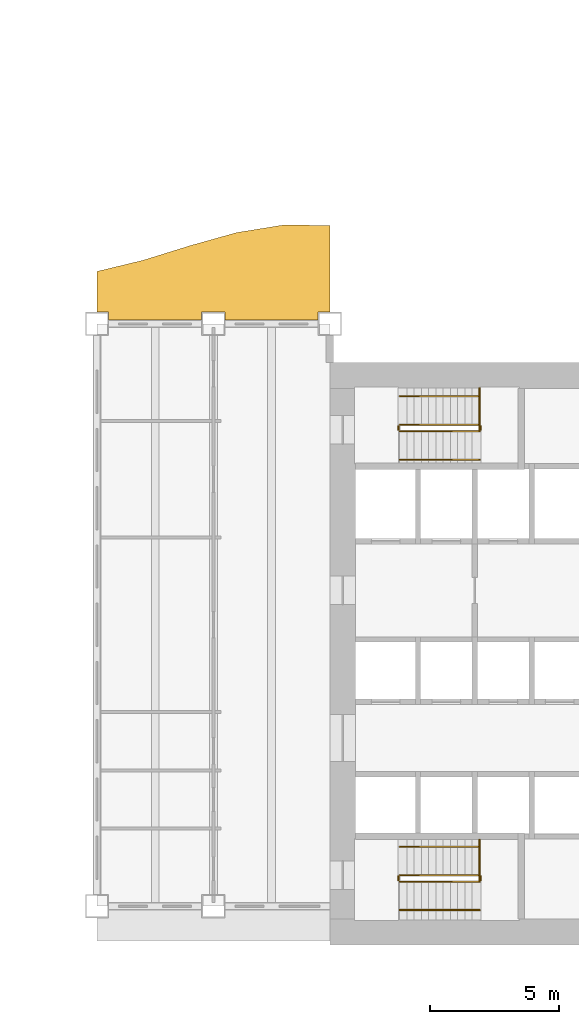
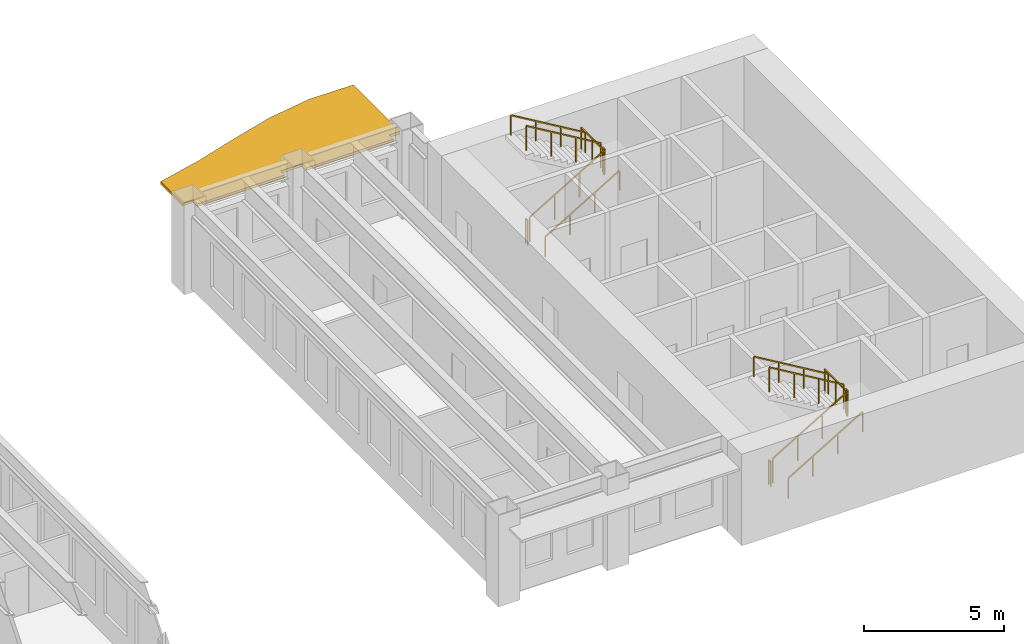
# One storey, part 12 of 13: 14 railings, 1 shading device.
"""IFC4 building model written with IfcOpenShell, lengths in metres."""

from ifc_helpers import new_model, si_unit, direction, frame, origin, origin_2d, place, context, subcontext, project, spatial, polyline, rectangle, outline, extrude, material, layer, layer_set, type_object, element, save


model = new_model("IFC4")

# Units and contexts
model_context = context("Model", 3, precision=1e-05, world=origin(), true_north=direction((0.0, 1.0)))
body_context = subcontext(model_context, "Body", "Model", "MODEL_VIEW")
ifc_project = project(units=[si_unit("LENGTHUNIT", "METRE"), si_unit("AREAUNIT", "SQUARE_METRE"), si_unit("VOLUMEUNIT", "CUBIC_METRE"), si_unit("PLANEANGLEUNIT", "RADIAN"), si_unit("MASSUNIT", "GRAM", prefix="KILO")], contexts=[model_context])

# Site, building, storey
site_placement = place(None, origin())
site = spatial("IfcSite", under=ifc_project, at=site_placement, CompositionType="ELEMENT")
building_placement = place(site_placement, origin())
building = spatial("IfcBuilding", under=site, at=building_placement, Name="Sennacour Bend Tower", CompositionType="ELEMENT")
storey_placement = place(building_placement, frame((0.0, 0.0, 139.0)))
storey = spatial("IfcBuildingStorey", under=building, at=storey_placement, Name="L31", CompositionType="ELEMENT", Elevation=139.0)

# Railings
ifc_material_1 = material(Name="Stainless steel", Category="steel")
railing_type_1 = type_object("IfcRailingType", Name="RL-GUARD-1100", PredefinedType="GUARDRAIL", material=ifc_material_1)
railing_1_placement = place(storey_placement, frame((56.699951171875, 2.449951171875, 0.166748046875)))
element("IfcRailing", 1, at=railing_1_placement, inside=storey, type_object=railing_type_1, Name="L31 SA1 stair guard 1", PredefinedType="GUARDRAIL", context=body_context, shape_type="SweptSolid", body=[
    extrude(rectangle(XDim=0.048095703125, YDim=0.048095703125, at=origin_2d()), frame((0.0, 0.0, 1.076171875), z_axis=(0.859308565015, 0.0, 0.511457515432), x_axis=(0.0, 1.0, 0.0)), (0.0, 0.0, 1.0), 3.58447265625),
    extrude(rectangle(XDim=0.0419921875, YDim=0.0419921875, at=origin_2d()), origin(), (0.0, 0.0, 1.0), 1.052001953125),
    extrude(rectangle(XDim=0.0419921875, YDim=0.0419921875, at=origin_2d()), frame((1.026611328125, 0.0, 0.611083984375)), (0.0, 0.0, 1.0), 1.052001953125),
    extrude(rectangle(XDim=0.0419921875, YDim=0.0419921875, at=origin_2d()), frame((2.053466796875, 0.0, 1.22216796875)), (0.0, 0.0, 1.0), 1.052001953125),
    extrude(rectangle(XDim=0.0419921875, YDim=0.0419921875, at=origin_2d()), frame((3.080078125, 0.0, 1.833251953125)), (0.0, 0.0, 1.0), 1.052001953125),
])
railing_2_placement = place(storey_placement, frame((59.830078125, 2.5, 2.0)))
element("IfcRailing", 2, at=railing_2_placement, inside=storey, type_object=railing_type_1, Name="L31 SA1 stair guard 2", PredefinedType="GUARDRAIL", context=body_context, shape_type="SweptSolid", body=[
    extrude(rectangle(XDim=0.048095703125, YDim=0.048095703125, at=origin_2d()), frame((0.0, 0.0, 1.076171875), z_axis=(0.0, 1.0, 0.0), x_axis=(-1.0, 0.0, 0.0)), (0.0, 0.0, 1.0), 0.14990234375),
    extrude(rectangle(XDim=0.0419921875, YDim=0.0419921875, at=origin_2d()), origin(), (0.0, 0.0, 1.0), 1.052001953125),
    extrude(rectangle(XDim=0.0419921875, YDim=0.0419921875, at=origin_2d()), frame((0.0, 0.14990234375, 0.0)), (0.0, 0.0, 1.0), 1.052001953125),
])
railing_3_placement = place(storey_placement, frame((59.780029296875, 2.699951171875, 2.166748046875)))
element("IfcRailing", 3, at=railing_3_placement, inside=storey, type_object=railing_type_1, Name="L31 SA1 stair guard 4", PredefinedType="GUARDRAIL", context=body_context, shape_type="SweptSolid", body=[
    extrude(rectangle(XDim=0.048095703125, YDim=0.048095703125, at=origin_2d()), frame((0.0, 0.0, 1.076171875), z_axis=(-0.859308565015, 0.0, 0.511457515432), x_axis=(0.0, -1.0, 0.0)), (0.0, 0.0, 1.0), 3.58447265625),
    extrude(rectangle(XDim=0.0419921875, YDim=0.0419921875, at=origin_2d()), origin(), (0.0, 0.0, 1.0), 1.052001953125),
    extrude(rectangle(XDim=0.0419921875, YDim=0.0419921875, at=origin_2d()), frame((-1.026611328125, 0.0, 0.611083984375)), (0.0, 0.0, 1.0), 1.052001953125),
    extrude(rectangle(XDim=0.0419921875, YDim=0.0419921875, at=origin_2d()), frame((-2.053466796875, 0.0, 1.22216796875)), (0.0, 0.0, 1.0), 1.052001953125),
    extrude(rectangle(XDim=0.0419921875, YDim=0.0419921875, at=origin_2d()), frame((-3.080078125, 0.0, 1.833251953125)), (0.0, 0.0, 1.0), 1.052001953125),
])
railing_4_placement = place(storey_placement, frame((56.64990234375, 2.5, 0.0)))
element("IfcRailing", 4, at=railing_4_placement, inside=storey, type_object=railing_type_1, Name="L31 SA1 stair guard 5", PredefinedType="GUARDRAIL", context=body_context, shape_type="SweptSolid", body=[
    extrude(rectangle(XDim=0.048095703125, YDim=0.048095703125, at=origin_2d()), frame((0.0, 0.0, 1.076171875), z_axis=(0.0, 1.0, 0.0), x_axis=(-1.0, 0.0, 0.0)), (0.0, 0.0, 1.0), 0.14990234375),
    extrude(rectangle(XDim=0.0419921875, YDim=0.0419921875, at=origin_2d()), origin(), (0.0, 0.0, 1.0), 1.052001953125),
    extrude(rectangle(XDim=0.0419921875, YDim=0.0419921875, at=origin_2d()), frame((0.0, 0.14990234375, 0.0)), (0.0, 0.0, 1.0), 1.052001953125),
])
railing_5_placement = place(storey_placement, frame((59.780029296875, 2.5, 2.0)))
element("IfcRailing", 5, at=railing_5_placement, inside=storey, type_object=railing_type_1, Name="L31 SA1 landing edge guard 51", PredefinedType="GUARDRAIL", context=body_context, shape_type="SweptSolid", body=[
    extrude(rectangle(XDim=0.048095703125, YDim=0.048095703125, at=origin_2d()), frame((0.0, 0.0, 1.076171875), z_axis=(0.0, 1.0, 0.0), x_axis=(-1.0, 0.0, 0.0)), (0.0, 0.0, 1.0), 1.574951171875),
    extrude(rectangle(XDim=0.0419921875, YDim=0.0419921875, at=origin_2d()), origin(), (0.0, 0.0, 1.0), 1.052001953125),
    extrude(rectangle(XDim=0.0419921875, YDim=0.0419921875, at=origin_2d()), frame((0.0, 0.78759765625, 0.0)), (0.0, 0.0, 1.0), 1.052001953125),
    extrude(rectangle(XDim=0.0419921875, YDim=0.0419921875, at=origin_2d()), frame((0.0, 1.574951171875, 0.0)), (0.0, 0.0, 1.0), 1.052001953125),
])
railing_6_placement = place(storey_placement, frame((56.699951171875, 19.85009765625, 0.166748046875)))
element("IfcRailing", 6, at=railing_6_placement, inside=storey, type_object=railing_type_1, Name="L31 SA2 stair guard 1", PredefinedType="GUARDRAIL", context=body_context, shape_type="SweptSolid", body=[
    extrude(rectangle(XDim=0.048095703125, YDim=0.048095703125, at=origin_2d()), frame((0.0, 0.0, 1.076171875), z_axis=(0.859308565015, 0.0, 0.511457515432), x_axis=(0.0, 1.0, 0.0)), (0.0, 0.0, 1.0), 3.58447265625),
    extrude(rectangle(XDim=0.0419921875, YDim=0.0419921875, at=origin_2d()), origin(), (0.0, 0.0, 1.0), 1.052001953125),
    extrude(rectangle(XDim=0.0419921875, YDim=0.0419921875, at=origin_2d()), frame((1.026611328125, 0.0, 0.611083984375)), (0.0, 0.0, 1.0), 1.052001953125),
    extrude(rectangle(XDim=0.0419921875, YDim=0.0419921875, at=origin_2d()), frame((2.053466796875, 0.0, 1.22216796875)), (0.0, 0.0, 1.0), 1.052001953125),
    extrude(rectangle(XDim=0.0419921875, YDim=0.0419921875, at=origin_2d()), frame((3.080078125, 0.0, 1.833251953125)), (0.0, 0.0, 1.0), 1.052001953125),
])
railing_7_placement = place(storey_placement, frame((59.830078125, 19.89990234375, 2.0)))
element("IfcRailing", 7, at=railing_7_placement, inside=storey, type_object=railing_type_1, Name="L31 SA2 stair guard 2", PredefinedType="GUARDRAIL", context=body_context, shape_type="SweptSolid", body=[
    extrude(rectangle(XDim=0.048095703125, YDim=0.048095703125, at=origin_2d()), frame((0.0, 0.0, 1.076171875), z_axis=(0.0, 1.0, 0.0), x_axis=(-1.0, 0.0, 0.0)), (0.0, 0.0, 1.0), 0.150146484375),
    extrude(rectangle(XDim=0.0419921875, YDim=0.0419921875, at=origin_2d()), origin(), (0.0, 0.0, 1.0), 1.052001953125),
    extrude(rectangle(XDim=0.0419921875, YDim=0.0419921875, at=origin_2d()), frame((0.0, 0.150146484375, 0.0)), (0.0, 0.0, 1.0), 1.052001953125),
])
railing_8_placement = place(storey_placement, frame((59.780029296875, 20.10009765625, 2.166748046875)))
element("IfcRailing", 8, at=railing_8_placement, inside=storey, type_object=railing_type_1, Name="L31 SA2 stair guard 4", PredefinedType="GUARDRAIL", context=body_context, shape_type="SweptSolid", body=[
    extrude(rectangle(XDim=0.048095703125, YDim=0.048095703125, at=origin_2d()), frame((0.0, 0.0, 1.076171875), z_axis=(-0.859308565015, 0.0, 0.511457515432), x_axis=(0.0, -1.0, 0.0)), (0.0, 0.0, 1.0), 3.58447265625),
    extrude(rectangle(XDim=0.0419921875, YDim=0.0419921875, at=origin_2d()), origin(), (0.0, 0.0, 1.0), 1.052001953125),
    extrude(rectangle(XDim=0.0419921875, YDim=0.0419921875, at=origin_2d()), frame((-1.026611328125, 0.0, 0.611083984375)), (0.0, 0.0, 1.0), 1.052001953125),
    extrude(rectangle(XDim=0.0419921875, YDim=0.0419921875, at=origin_2d()), frame((-2.053466796875, 0.0, 1.22216796875)), (0.0, 0.0, 1.0), 1.052001953125),
    extrude(rectangle(XDim=0.0419921875, YDim=0.0419921875, at=origin_2d()), frame((-3.080078125, 0.0, 1.833251953125)), (0.0, 0.0, 1.0), 1.052001953125),
])
railing_9_placement = place(storey_placement, frame((56.64990234375, 19.89990234375, 0.0)))
element("IfcRailing", 9, at=railing_9_placement, inside=storey, type_object=railing_type_1, Name="L31 SA2 stair guard 5", PredefinedType="GUARDRAIL", context=body_context, shape_type="SweptSolid", body=[
    extrude(rectangle(XDim=0.048095703125, YDim=0.048095703125, at=origin_2d()), frame((0.0, 0.0, 1.076171875), z_axis=(0.0, 1.0, 0.0), x_axis=(-1.0, 0.0, 0.0)), (0.0, 0.0, 1.0), 0.150146484375),
    extrude(rectangle(XDim=0.0419921875, YDim=0.0419921875, at=origin_2d()), origin(), (0.0, 0.0, 1.0), 1.052001953125),
    extrude(rectangle(XDim=0.0419921875, YDim=0.0419921875, at=origin_2d()), frame((0.0, 0.150146484375, 0.0)), (0.0, 0.0, 1.0), 1.052001953125),
])
railing_10_placement = place(storey_placement, frame((59.780029296875, 19.89990234375, 2.0)))
element("IfcRailing", 10, at=railing_10_placement, inside=storey, type_object=railing_type_1, Name="L31 SA2 landing edge guard 46", PredefinedType="GUARDRAIL", context=body_context, shape_type="SweptSolid", body=[
    extrude(rectangle(XDim=0.048095703125, YDim=0.048095703125, at=origin_2d()), frame((0.0, 0.0, 1.076171875), z_axis=(0.0, 1.0, 0.0), x_axis=(-1.0, 0.0, 0.0)), (0.0, 0.0, 1.0), 1.60009765625),
    extrude(rectangle(XDim=0.0419921875, YDim=0.0419921875, at=origin_2d()), origin(), (0.0, 0.0, 1.0), 1.052001953125),
    extrude(rectangle(XDim=0.0419921875, YDim=0.0419921875, at=origin_2d()), frame((0.0, 0.800048828125, 0.0)), (0.0, 0.0, 1.0), 1.052001953125),
    extrude(rectangle(XDim=0.0419921875, YDim=0.0419921875, at=origin_2d()), frame((0.0, 1.60009765625, 0.0)), (0.0, 0.0, 1.0), 1.052001953125),
])
railing_type_2 = type_object("IfcRailingType", Name="RL-HANDRAIL-900", PredefinedType="HANDRAIL", material=ifc_material_1)
railing_11_placement = place(storey_placement, frame((56.699951171875, 1.35009765625, 0.166748046875)))
element("IfcRailing", 11, at=railing_11_placement, inside=storey, type_object=railing_type_2, Name="L31 SA1 stair handrail 1", PredefinedType="HANDRAIL", context=body_context, shape_type="SweptSolid", body=[
    extrude(rectangle(XDim=0.048095703125, YDim=0.048095703125, at=origin_2d()), frame((0.0, 0.0, 0.8759765625), z_axis=(0.859308565015, 0.0, 0.511457515432), x_axis=(0.0, 1.0, 0.0)), (0.0, 0.0, 1.0), 3.58447265625),
    extrude(rectangle(XDim=0.0419921875, YDim=0.0419921875, at=origin_2d()), origin(), (0.0, 0.0, 1.0), 0.851806640625),
    extrude(rectangle(XDim=0.0419921875, YDim=0.0419921875, at=origin_2d()), frame((1.026611328125, 0.0, 0.611083984375)), (0.0, 0.0, 1.0), 0.851806640625),
    extrude(rectangle(XDim=0.0419921875, YDim=0.0419921875, at=origin_2d()), frame((2.053466796875, 0.0, 1.22216796875)), (0.0, 0.0, 1.0), 0.851806640625),
    extrude(rectangle(XDim=0.0419921875, YDim=0.0419921875, at=origin_2d()), frame((3.080078125, 0.0, 1.833251953125)), (0.0, 0.0, 1.0), 0.851806640625),
])
railing_12_placement = place(storey_placement, frame((59.780029296875, 3.800048828125, 2.166748046875)))
element("IfcRailing", 12, at=railing_12_placement, inside=storey, type_object=railing_type_2, Name="L31 SA1 stair handrail 2", PredefinedType="HANDRAIL", context=body_context, shape_type="SweptSolid", body=[
    extrude(rectangle(XDim=0.048095703125, YDim=0.048095703125, at=origin_2d()), frame((0.0, 0.0, 0.8759765625), z_axis=(-0.859308565015, 0.0, 0.511457515432), x_axis=(0.0, -1.0, 0.0)), (0.0, 0.0, 1.0), 3.58447265625),
    extrude(rectangle(XDim=0.0419921875, YDim=0.0419921875, at=origin_2d()), origin(), (0.0, 0.0, 1.0), 0.851806640625),
    extrude(rectangle(XDim=0.0419921875, YDim=0.0419921875, at=origin_2d()), frame((-1.026611328125, 0.0, 0.611083984375)), (0.0, 0.0, 1.0), 0.851806640625),
    extrude(rectangle(XDim=0.0419921875, YDim=0.0419921875, at=origin_2d()), frame((-2.053466796875, 0.0, 1.22216796875)), (0.0, 0.0, 1.0), 0.851806640625),
    extrude(rectangle(XDim=0.0419921875, YDim=0.0419921875, at=origin_2d()), frame((-3.080078125, 0.0, 1.833251953125)), (0.0, 0.0, 1.0), 0.851806640625),
])
railing_13_placement = place(storey_placement, frame((56.699951171875, 18.75, 0.166748046875)))
element("IfcRailing", 13, at=railing_13_placement, inside=storey, type_object=railing_type_2, Name="L31 SA2 stair handrail 1", PredefinedType="HANDRAIL", context=body_context, shape_type="SweptSolid", body=[
    extrude(rectangle(XDim=0.048095703125, YDim=0.048095703125, at=origin_2d()), frame((0.0, 0.0, 0.8759765625), z_axis=(0.859308565015, 0.0, 0.511457515432), x_axis=(0.0, 1.0, 0.0)), (0.0, 0.0, 1.0), 3.58447265625),
    extrude(rectangle(XDim=0.0419921875, YDim=0.0419921875, at=origin_2d()), origin(), (0.0, 0.0, 1.0), 0.851806640625),
    extrude(rectangle(XDim=0.0419921875, YDim=0.0419921875, at=origin_2d()), frame((1.026611328125, 0.0, 0.611083984375)), (0.0, 0.0, 1.0), 0.851806640625),
    extrude(rectangle(XDim=0.0419921875, YDim=0.0419921875, at=origin_2d()), frame((2.053466796875, 0.0, 1.22216796875)), (0.0, 0.0, 1.0), 0.851806640625),
    extrude(rectangle(XDim=0.0419921875, YDim=0.0419921875, at=origin_2d()), frame((3.080078125, 0.0, 1.833251953125)), (0.0, 0.0, 1.0), 0.851806640625),
])
railing_14_placement = place(storey_placement, frame((59.780029296875, 21.199951171875, 2.166748046875)))
element("IfcRailing", 14, at=railing_14_placement, inside=storey, type_object=railing_type_2, Name="L31 SA2 stair handrail 2", PredefinedType="HANDRAIL", context=body_context, shape_type="SweptSolid", body=[
    extrude(rectangle(XDim=0.048095703125, YDim=0.048095703125, at=origin_2d()), frame((0.0, 0.0, 0.8759765625), z_axis=(-0.859308565015, 0.0, 0.511457515432), x_axis=(0.0, -1.0, 0.0)), (0.0, 0.0, 1.0), 3.58447265625),
    extrude(rectangle(XDim=0.0419921875, YDim=0.0419921875, at=origin_2d()), origin(), (0.0, 0.0, 1.0), 0.851806640625),
    extrude(rectangle(XDim=0.0419921875, YDim=0.0419921875, at=origin_2d()), frame((-1.026611328125, 0.0, 0.611083984375)), (0.0, 0.0, 1.0), 0.851806640625),
    extrude(rectangle(XDim=0.0419921875, YDim=0.0419921875, at=origin_2d()), frame((-2.053466796875, 0.0, 1.22216796875)), (0.0, 0.0, 1.0), 0.851806640625),
    extrude(rectangle(XDim=0.0419921875, YDim=0.0419921875, at=origin_2d()), frame((-3.080078125, 0.0, 1.833251953125)), (0.0, 0.0, 1.0), 0.851806640625),
])

# Shading device
ifc_material_2 = material(Name="Bronze anodised aluminium", Category="aluminium")
ifc_layer = layer(ifc_material_2, 0.1201171875, Name="Bronze anodised aluminium", Category="aluminium")
ifc_layer_set = layer_set([ifc_layer], Name="Bronze anodised aluminium")
shading_device_type = type_object("IfcShadingDeviceType", Name="SUNSHADE BAND WAVE", PredefinedType="USERDEFINED", material=ifc_layer_set)
shading_device_placement = place(storey_placement, frame((0.0, 0.0, 3.029052734375)))
element("IfcShadingDevice", 15, at=shading_device_placement, inside=storey, type_object=shading_device_type, Name="Sunshade band L31 concave faces", ObjectType="SUNSHADE", PredefinedType="USERDEFINED", context=body_context, shape_type="SweptSolid", body=[
    extrude(outline(polyline([(53.550048828125, 24.14990234375), (49.949951171875, 24.14990234375), (49.949951171875, 24.449951171875), (49.050048828125, 24.449951171875), (49.050048828125, 24.14990234375), (45.449951171875, 24.14990234375), (45.449951171875, 24.449951171875), (45.0, 24.449951171875), (45.0, 26.0244140625), (46.800048828125, 26.460693359375), (48.60009765625, 27.0205078125), (50.39990234375, 27.526123046875), (52.199951171875, 27.817138671875), (54.0, 27.801025390625), (54.0, 24.449951171875), (53.550048828125, 24.449951171875), (53.550048828125, 24.14990234375)])), origin(), (0.0, 0.0, 1.0), 0.119873046875),
])

save(model, "model.ifc")
